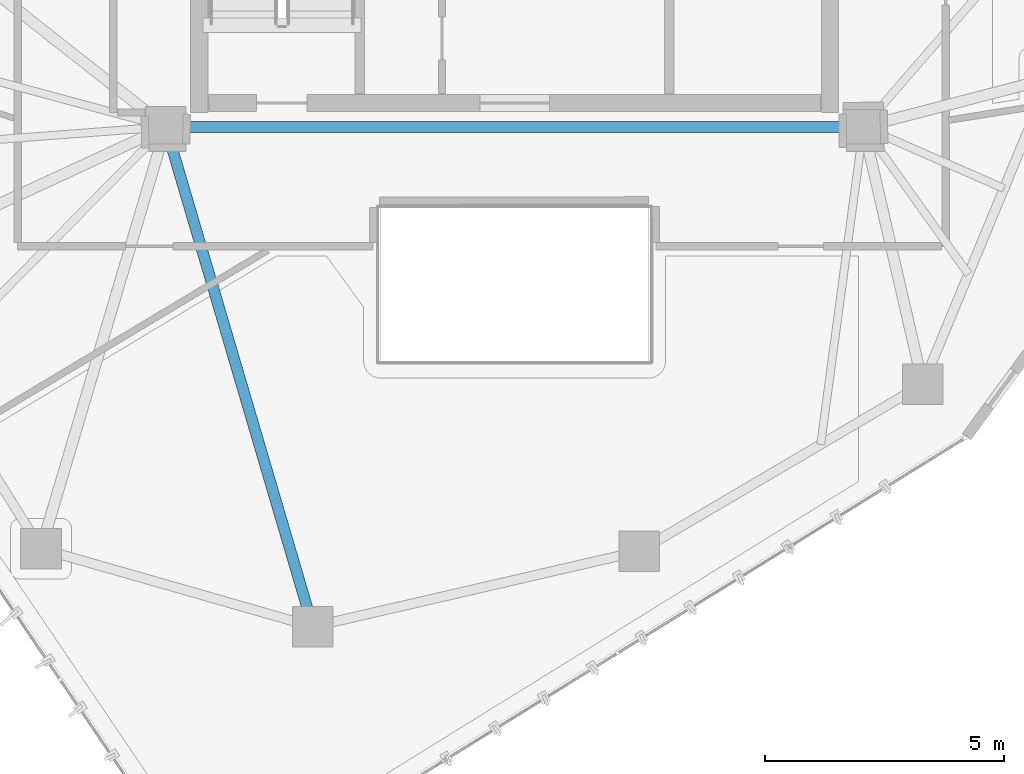
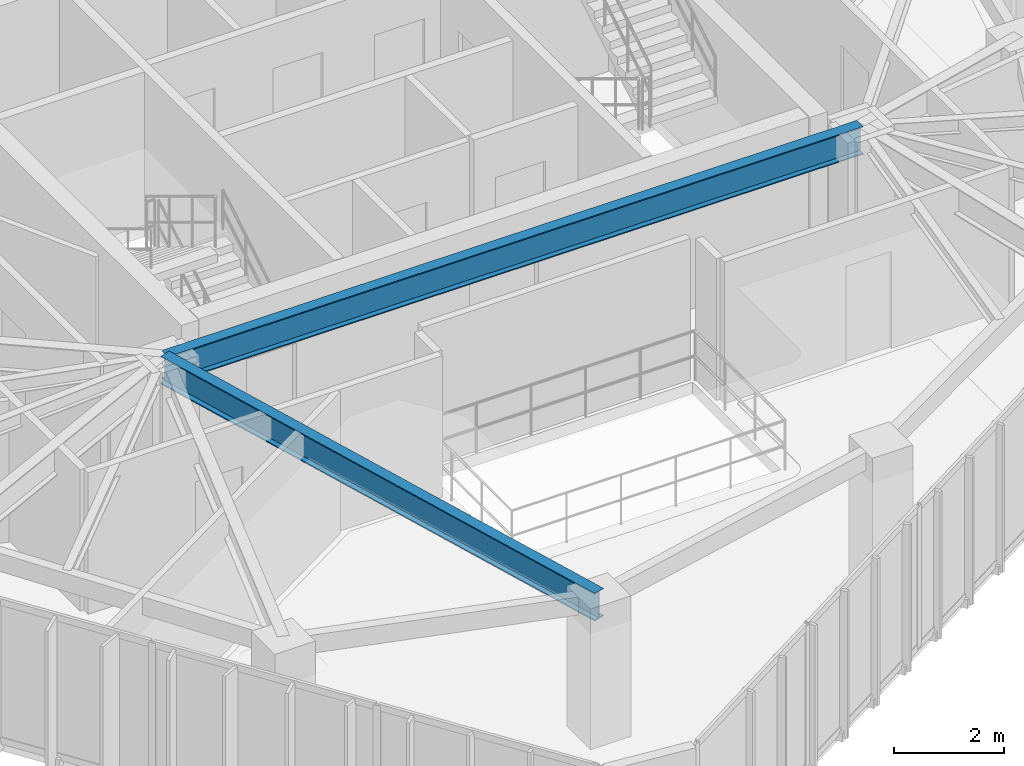
# One storey, part 5 of 20: 2 beams.
"""IFC4 building model written with IfcOpenShell, lengths in metres."""

from ifc_helpers import new_model, si_unit, direction, frame, origin, origin_2d, place, context, subcontext, project, spatial, i_section, extrude, material, material_profile, profile_set, type_object, element, save


model = new_model("IFC4")

# Units and contexts
model_context = context("Model", 3, precision=1e-05, world=origin(), true_north=direction((0.0, 1.0)))
body_context = subcontext(model_context, "Body", "Model", "MODEL_VIEW")
ifc_project = project(units=[si_unit("LENGTHUNIT", "METRE"), si_unit("AREAUNIT", "SQUARE_METRE"), si_unit("VOLUMEUNIT", "CUBIC_METRE"), si_unit("PLANEANGLEUNIT", "RADIAN"), si_unit("MASSUNIT", "GRAM", prefix="KILO")], contexts=[model_context])

# Site, building, storey
site_placement = place(None, origin())
site = spatial("IfcSite", under=ifc_project, at=site_placement, CompositionType="ELEMENT")
building_placement = place(site_placement, origin())
building = spatial("IfcBuilding", under=site, at=building_placement, Name="Talar Marvaseh", CompositionType="ELEMENT")
storey_placement = place(building_placement, frame((0.0, 0.0, 251.0)))
storey = spatial("IfcBuildingStorey", under=building, at=storey_placement, Name="L66", CompositionType="ELEMENT", Elevation=251.0)

# Beams
ifc_material = material(Name="Steel S355", Category="steel")
ifc_material_profile = material_profile(ifc_material, i_section(OverallWidth=0.22998046875, OverallDepth=0.616943359375, WebThickness=0.01318359375, FlangeThickness=0.022216796875, at=origin_2d()), Name="W610x140")
ifc_profile_set = profile_set([ifc_material_profile], Name="Steel S355")
beam_type = type_object("IfcBeamType", Name="Zone 4 Radial Floor Girder W610x140", PredefinedType="BEAM", material=ifc_profile_set)
beam_1_placement = place(storey_placement, frame((18.699951171875, 25.5, 2.83154296875), z_axis=(1.0, 0.0, 0.0), x_axis=(0.0, 1.0, 0.0)))
element("IfcBeam", 1, at=beam_1_placement, inside=storey, type_object=beam_type, Name="L66 Zone 4 Radial Floor Girder W610x140", PredefinedType="BEAM", context=body_context, shape_type="SweptSolid", body=[
    extrude(i_section(OverallWidth=0.22998046875, OverallDepth=0.616943359375, WebThickness=0.01318359375, FlangeThickness=0.022216796875, at=origin_2d()), origin(), (0.0, 0.0, 1.0), 14.60009765625),
])
beam_2_placement = place(storey_placement, frame((21.77587890625, 15.0400390625, 2.83154296875), z_axis=(-0.28212146763, 0.959378693479, 0.0), x_axis=(-0.959378693479, -0.28212146763, 0.0)))
element("IfcBeam", 2, at=beam_2_placement, inside=storey, type_object=beam_type, Name="L66 Zone 4 Radial Floor Girder W610x140", PredefinedType="BEAM", context=body_context, shape_type="SweptSolid", body=[
    extrude(i_section(OverallWidth=0.22998046875, OverallDepth=0.616943359375, WebThickness=0.01318359375, FlangeThickness=0.022216796875, at=origin_2d()), origin(), (0.0, 0.0, 1.0), 10.90283203125),
])

save(model, "model.ifc")
